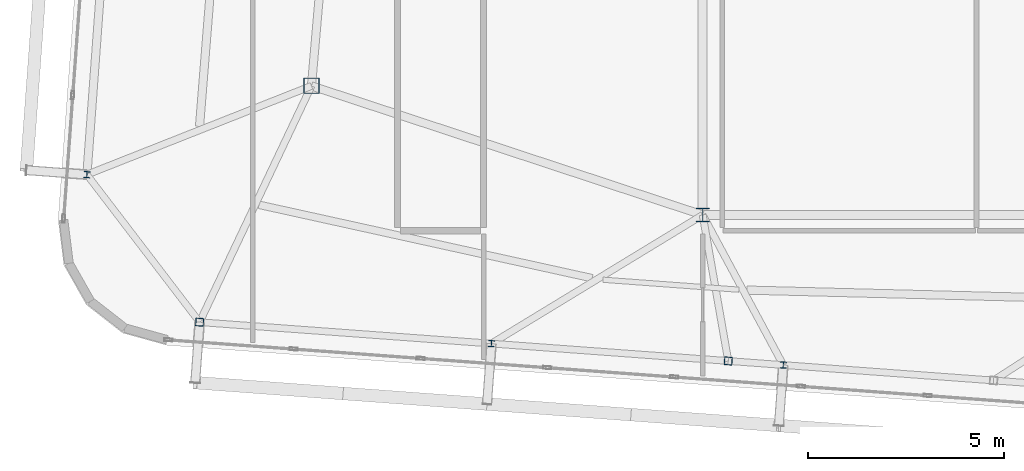
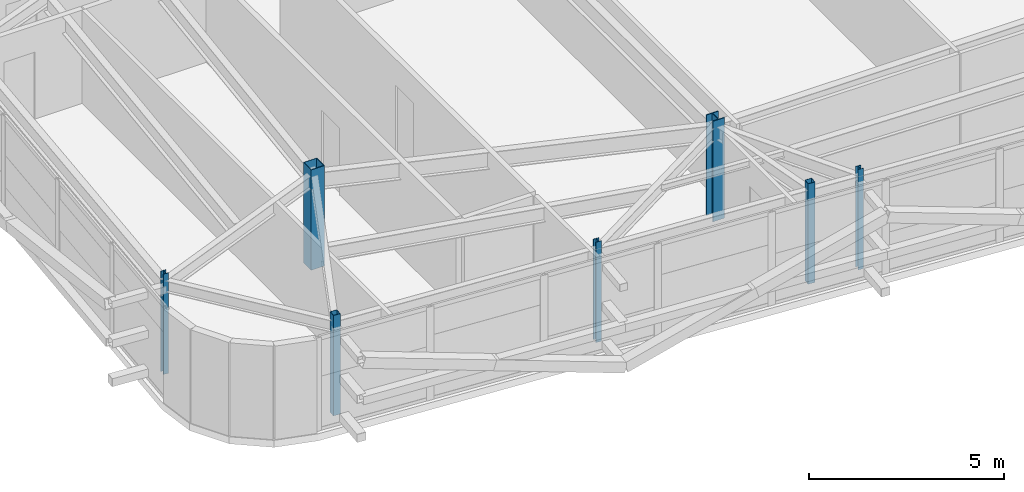
# One storey, part 1 of 42: 7 columns.
"""IFC4 building model written with IfcOpenShell, lengths in metres."""

from ifc_helpers import new_model, si_unit, direction, frame, origin, origin_2d, place, context, subcontext, project, spatial, hollow_rectangle, i_section, extrude, source, transform, mapped, material, material_profile, profile_set, type_object, element, save


model = new_model("IFC4")

# Units and contexts
model_context = context("Model", 3, precision=1e-05, world=origin(), true_north=direction((0.0, 1.0)))
body_context = subcontext(model_context, "Body", "Model", "MODEL_VIEW")
ifc_project = project(units=[si_unit("LENGTHUNIT", "METRE"), si_unit("AREAUNIT", "SQUARE_METRE"), si_unit("VOLUMEUNIT", "CUBIC_METRE"), si_unit("PLANEANGLEUNIT", "RADIAN"), si_unit("MASSUNIT", "GRAM", prefix="KILO")], contexts=[model_context])

# Site, building, storey
site_placement = place(None, origin())
site = spatial("IfcSite", under=ifc_project, at=site_placement, CompositionType="ELEMENT")
building_placement = place(site_placement, origin())
building = spatial("IfcBuilding", under=site, at=building_placement, Name="Taldren Reach Tower", CompositionType="ELEMENT")
storey_placement = place(building_placement, frame((0.0, 0.0, 214.550048828125)))
storey = spatial("IfcBuildingStorey", under=building, at=storey_placement, Name="L65", CompositionType="ELEMENT", Elevation=214.550048828125)

# Columns
ifc_material_1 = material(Name="Steel Gr 350 (350PLUS)", Category="steel")
ifc_material_profile_1 = material_profile(ifc_material_1, i_section(OverallWidth=0.35009765625, OverallDepth=0.35595703125, WebThickness=0.01806640625, FlangeThickness=0.028076171875, at=origin_2d()), Name="350WC197")
ifc_profile_set_1 = profile_set([ifc_material_profile_1], Name="Steel Gr 350 (350PLUS)")
column_type_1 = type_object("IfcColumnType", Name="COL-WC350", PredefinedType="COLUMN", material=ifc_profile_set_1)
shared_shape_1 = source(origin(), body_context, "Body", "SweptSolid", [
    extrude(i_section(OverallWidth=0.35009765625, OverallDepth=0.35595703125, WebThickness=0.01806640625, FlangeThickness=0.028076171875, at=origin_2d()), origin(), (0.0, 0.0, 1.0), 3.14990234375),
])
column_1_placement = place(storey_placement, frame((28.0, 9.199951171875, 0.0), z_axis=(0.0, 0.0, 1.0), x_axis=(1.0, 0.0, 0.0)))
element("IfcColumn", 1, at=column_1_placement, inside=storey, type_object=column_type_1, Name="Mega column MC-PJW L65", PredefinedType="COLUMN", context=body_context, shape_type="MappedRepresentation", body=[
    mapped(shared_shape_1, transform((0.0, 0.0, 0.0), scale=1.0)),
])
ifc_material_2 = material(Name="Steel Gr 450 (C450L0)", Category="steel")
ifc_material_profile_2 = material_profile(ifc_material_2, hollow_rectangle(XDim=0.39990234375, YDim=0.39990234375, WallThickness=0.01611328125, at=origin_2d()), Name="400x400x16.0SHS")
ifc_profile_set_2 = profile_set([ifc_material_profile_2], Name="Steel Gr 450 (C450L0)")
column_type_2 = type_object("IfcColumnType", Name="COL-SHS400", PredefinedType="COLUMN", material=ifc_profile_set_2)
shared_shape_2 = source(origin(), body_context, "Body", "SweptSolid", [
    extrude(hollow_rectangle(XDim=0.39990234375, YDim=0.39990234375, WallThickness=0.01611328125, at=origin_2d()), origin(), (0.0, 0.0, 1.0), 3.14990234375),
])
column_2_placement = place(storey_placement, frame((18.0, 12.5, 0.0), z_axis=(0.0, 0.0, 1.0), x_axis=(1.0, 0.0, 0.0)))
element("IfcColumn", 2, at=column_2_placement, inside=storey, type_object=column_type_2, Name="Mega column MC-SW L65", PredefinedType="COLUMN", context=body_context, shape_type="MappedRepresentation", body=[
    mapped(shared_shape_2, transform((0.0, 0.0, 0.0), scale=1.0)),
])
ifc_material_3 = material(Name="Steel Gr 350 (C350L0)", Category="steel")
ifc_material_profile_3 = material_profile(ifc_material_3, hollow_rectangle(XDim=0.199951171875, YDim=0.199951171875, WallThickness=0.009033203125, at=origin_2d()), Name="200x200x9.0SHS")
ifc_profile_set_3 = profile_set([ifc_material_profile_3], Name="Steel Gr 350 (C350L0)")
column_type_3 = type_object("IfcColumnType", Name="COL-SHS200", PredefinedType="COLUMN", material=ifc_profile_set_3)
shared_shape_3 = source(origin(), body_context, "Body", "SweptSolid", [
    extrude(hollow_rectangle(XDim=0.199951171875, YDim=0.199951171875, WallThickness=0.009033203125, at=origin_2d()), origin(), (0.0, 0.0, 1.0), 3.14990234375),
])
for number, where, z_axis, x_axis, name in (
    (3, (15.140625, 6.460205078125, 0.0), (0.0, 0.0, 1.0), (0.997314477224, -0.073238197128, 0.0), "Block B5 perimeter column S1 L65"),
    (4, (28.654296875, 5.4677734375, 0.0), (0.0, 0.0, 1.0), (0.997314477224, -0.073238197128, 0.0), "Block B5 perimeter column PJ1 L65"),
):
    element("IfcColumn", number, at=place(storey_placement, frame(where, z_axis=z_axis, x_axis=x_axis)), inside=storey, type_object=column_type_3, Name=name, PredefinedType="COLUMN", context=body_context, shape_type="MappedRepresentation", body=[
        mapped(shared_shape_3, transform((0.0, 0.0, 0.0), scale=1.0)),
    ])
ifc_material_profile_4 = material_profile(ifc_material_1, i_section(OverallWidth=0.154052734375, OverallDepth=0.162109375, WebThickness=0.008056640625, FlangeThickness=0.011474609375, at=origin_2d()), Name="150UC37.2")
ifc_profile_set_4 = profile_set([ifc_material_profile_4], Name="Steel Gr 350 (350PLUS)")
column_type_4 = type_object("IfcColumnType", Name="COL-UC150", PredefinedType="COLUMN", material=ifc_profile_set_4)
shared_shape_4 = source(origin(), body_context, "Body", "SweptSolid", [
    extrude(i_section(OverallWidth=0.154052734375, OverallDepth=0.162109375, WebThickness=0.008056640625, FlangeThickness=0.011474609375, at=origin_2d()), origin(), (0.0, 0.0, 1.0), 3.14990234375),
])
for number, where, z_axis, x_axis, name in (
    (5, (22.6005859375, 5.912353515625, 0.0), (0.0, 0.0, 1.0), (0.997314477224, -0.073238197128, 0.0), "Block B5 perimeter column S2 L65"),
    (6, (30.060546875, 5.364501953125, 0.0), (0.0, 0.0, 1.0), (0.997314477224, -0.073238197128, 0.0), "Block B5 perimeter column S3 L65"),
    (7, (12.259033203125, 10.2314453125, 0.0), (0.0, 0.0, 1.0), (0.997314477224, -0.073238197128, 0.0), "Block B5 perimeter column W1 L65"),
):
    element("IfcColumn", number, at=place(storey_placement, frame(where, z_axis=z_axis, x_axis=x_axis)), inside=storey, type_object=column_type_4, Name=name, PredefinedType="COLUMN", context=body_context, shape_type="MappedRepresentation", body=[
        mapped(shared_shape_4, transform((0.0, 0.0, 0.0), scale=1.0)),
    ])

save(model, "model.ifc")
